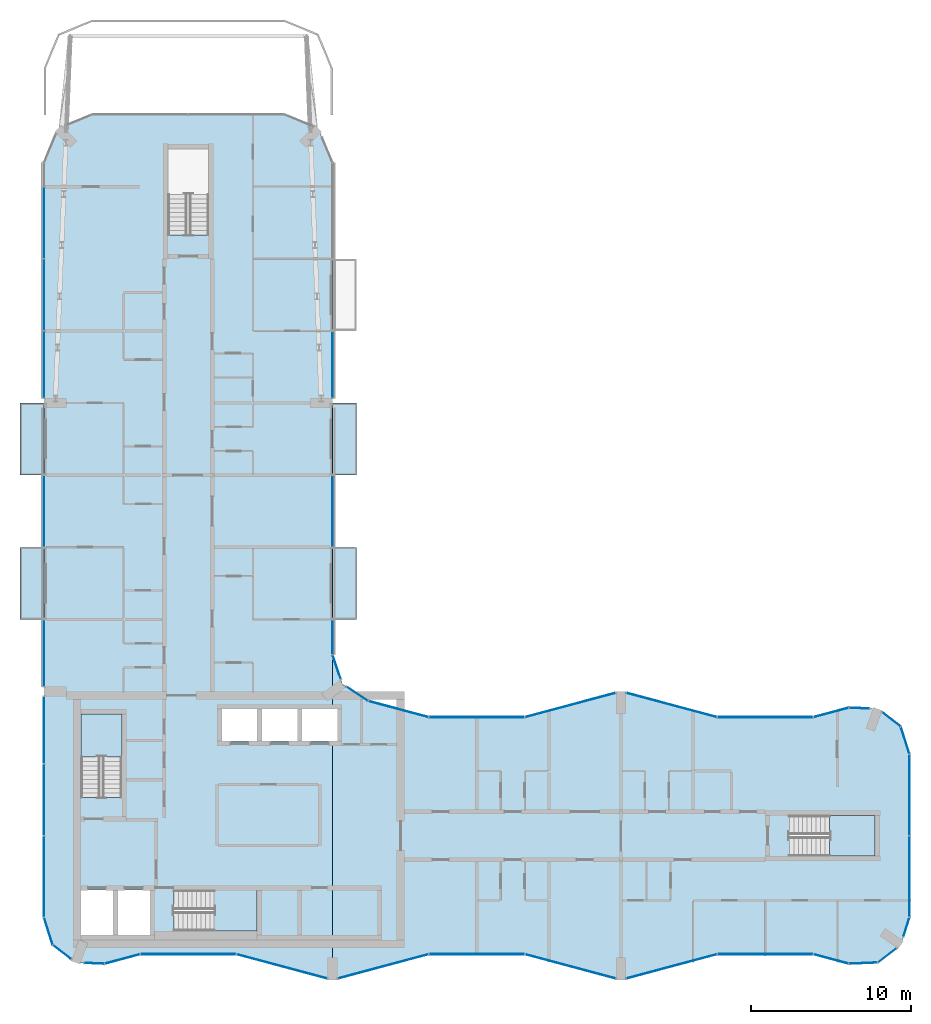
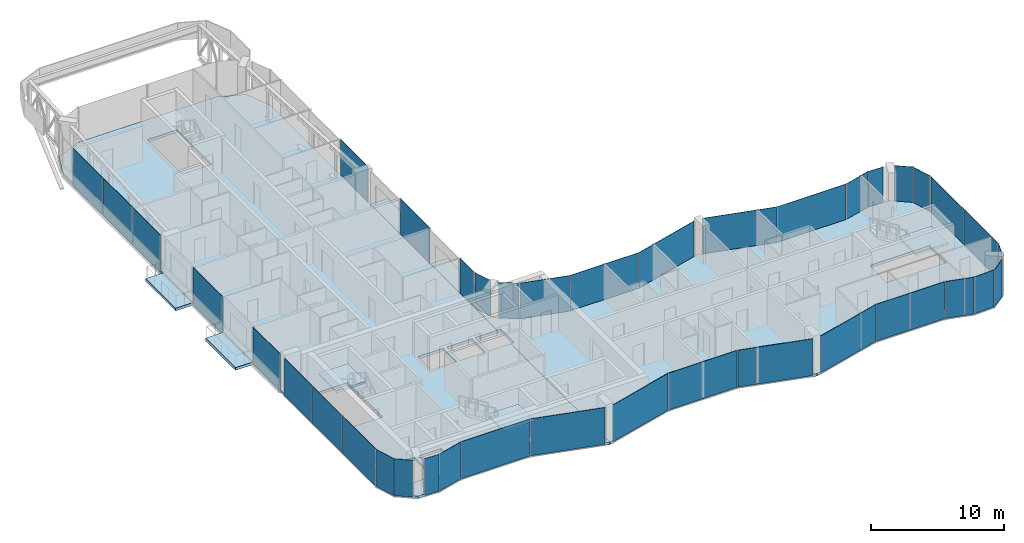
# One storey, part 8 of 17: 39 plates, 9 slabs, 37 elements without a shape of their own.
"""IFC4 building model written with IfcOpenShell, lengths in metres."""

from ifc_helpers import new_model, si_unit, direction, frame, origin, origin_2d, place, context, subcontext, project, spatial, polyline, rectangle, outline, extrude, material, layer, layer_set, type_object, element, aggregate, save


model = new_model("IFC4")

# Units and contexts
model_context = context("Model", 3, precision=1e-05, world=origin(), true_north=direction((0.0, 1.0)))
body_context = subcontext(model_context, "Body", "Model", "MODEL_VIEW")
ifc_project = project(units=[si_unit("LENGTHUNIT", "METRE"), si_unit("AREAUNIT", "SQUARE_METRE"), si_unit("VOLUMEUNIT", "CUBIC_METRE"), si_unit("PLANEANGLEUNIT", "RADIAN"), si_unit("MASSUNIT", "GRAM", prefix="KILO")], contexts=[model_context])

# Site, building, storey
site_placement = place(None, origin())
site = spatial("IfcSite", under=ifc_project, at=site_placement, CompositionType="ELEMENT")
building_placement = place(site_placement, origin())
building = spatial("IfcBuilding", under=site, at=building_placement, Name="Plateau Cross Towers", CompositionType="ELEMENT")
storey_placement = place(building_placement, frame((0.0, 0.0, 222.39990234375)))
storey = spatial("IfcBuildingStorey", under=building, at=storey_placement, Name="L58", CompositionType="ELEMENT", Elevation=222.39990234375)

# Slabs
ifc_material_1 = material(Name="Concrete C40/50", Category="concrete")
ifc_layer_1 = layer(ifc_material_1, 0.25)
ifc_layer_set_1 = layer_set([ifc_layer_1], Name="Concrete C40/50")
slab_type_1 = type_object("IfcSlabType", Name="Balcony slab 250", PredefinedType="FLOOR", material=ifc_layer_set_1)
slab_1_placement = place(storey_placement, frame((0.0, 0.0, -0.25)))
element("IfcSlab", 1, at=slab_1_placement, inside=storey, type_object=slab_type_1, Name="Balcony slab A-BAL-L58-01", PredefinedType="FLOOR", context=body_context, shape_type="SweptSolid", body=[
    extrude(outline(polyline([(0.0, 22.5), (0.0, 27.0), (-1.5, 27.0), (-1.5, 22.5), (0.0, 22.5)])), origin(), (0.0, 0.0, 1.0), 0.25),
])
slab_2_placement = place(storey_placement, frame((0.0, 0.0, -0.25)))
element("IfcSlab", 2, at=slab_2_placement, inside=storey, type_object=slab_type_1, Name="Balcony slab A-BAL-L58-02", PredefinedType="FLOOR", context=body_context, shape_type="SweptSolid", body=[
    extrude(outline(polyline([(0.0, 31.5), (0.0, 36.0), (-1.5, 36.0), (-1.5, 31.5), (0.0, 31.5)])), origin(), (0.0, 0.0, 1.0), 0.25),
])
slab_3_placement = place(storey_placement, frame((0.0, 0.0, -0.25)))
element("IfcSlab", 3, at=slab_3_placement, inside=storey, type_object=slab_type_1, Name="Balcony slab A-BAL-L58-03", PredefinedType="FLOOR", context=body_context, shape_type="SweptSolid", body=[
    extrude(outline(polyline([(19.5, 22.5), (19.5, 27.0), (18.0, 27.0), (18.0, 22.5), (19.5, 22.5)])), origin(), (0.0, 0.0, 1.0), 0.25),
])
slab_4_placement = place(storey_placement, frame((0.0, 0.0, -0.25)))
element("IfcSlab", 4, at=slab_4_placement, inside=storey, type_object=slab_type_1, Name="Balcony slab A-BAL-L58-04", PredefinedType="FLOOR", context=body_context, shape_type="SweptSolid", body=[
    extrude(outline(polyline([(19.5, 31.5), (19.5, 36.0), (18.0, 36.0), (18.0, 31.5), (19.5, 31.5)])), origin(), (0.0, 0.0, 1.0), 0.25),
])

# Curtain wall, plate
ifc_material_2 = material(Name="Dark low-iron glass", Category="glass")
ifc_layer_2 = layer(ifc_material_2, 0.239990234375)
ifc_layer_set_2 = layer_set([ifc_layer_2], Name="Dark low-iron glass")
curtain_wall_type_1 = type_object("IfcCurtainWallType", Name="Curtain wall flush unitised CW-B", PredefinedType="NOTDEFINED", material=ifc_layer_set_2)
curtain_wall_1_placement = place(storey_placement, origin())
curtain_wall_1 = element("IfcCurtainWall", 5, at=curtain_wall_1_placement, inside=storey, type_object=curtain_wall_type_1, Name="ENV/A/L58/A502_10", PredefinedType="NOTDEFINED")
ifc_layer_3 = layer(ifc_material_2, 0.031982421875)
ifc_layer_set_3 = layer_set([ifc_layer_3], Name="Dark low-iron glass")
plate_type_1 = type_object("IfcPlateType", Name="Glass panel 32 flush unitised", PredefinedType="CURTAIN_PANEL", material=ifc_layer_set_3)
plate_1_placement = place(storey_placement, frame((51.125, 1.05078125, -0.1298828125), z_axis=(0.0, 0.0, 1.0), x_axis=(0.999043701491, 0.043722791671, 0.0)))
plate_1 = element("IfcPlate", 6, at=plate_1_placement, type_object=plate_type_1, Name="CW-B panel 1", PredefinedType="CURTAIN_PANEL", context=body_context, shape_type="SweptSolid", body=[
    extrude(rectangle(XDim=1.744140625, YDim=0.031982421875, at=origin_2d()), origin(), (0.0, 0.0, 1.0), 3.3798828125),
])
aggregate(curtain_wall_1, [plate_1])

curtain_wall_2_placement = place(storey_placement, origin())
curtain_wall_2 = element("IfcCurtainWall", 7, at=curtain_wall_2_placement, inside=storey, type_object=curtain_wall_type_1, Name="ENV/A/L58/A520_11", PredefinedType="NOTDEFINED")
plate_2_placement = place(storey_placement, frame((52.60986328125, 1.5380859375, -0.1298828125), z_axis=(0.0, 0.0, 1.0), x_axis=(0.793315514529, 0.608810721331, 0.0)))
plate_2 = element("IfcPlate", 8, at=plate_2_placement, type_object=plate_type_1, Name="CW-B panel 1", PredefinedType="CURTAIN_PANEL", context=body_context, shape_type="SweptSolid", body=[
    extrude(rectangle(XDim=1.41162109375, YDim=0.031982421875, at=origin_2d()), origin(), (0.0, 0.0, 1.0), 3.3798828125),
])
aggregate(curtain_wall_2, [plate_2])

curtain_wall_3_placement = place(storey_placement, origin())
curtain_wall_3 = element("IfcCurtainWall", 9, at=curtain_wall_3_placement, inside=storey, type_object=curtain_wall_type_1, Name="ENV/A/L58/A536_27", PredefinedType="NOTDEFINED")
plate_3_placement = place(storey_placement, frame((53.805419921875, 3.292236328125, -0.1298828125), z_axis=(0.0, 0.0, 1.0), x_axis=(0.300686174994, 0.95372313811, 0.0)))
plate_3 = element("IfcPlate", 10, at=plate_3_placement, type_object=plate_type_1, Name="CW-B panel 1", PredefinedType="CURTAIN_PANEL", context=body_context, shape_type="SweptSolid", body=[
    extrude(rectangle(XDim=1.233642578125, YDim=0.031982421875, at=origin_2d()), origin(), (0.0, 0.0, 1.0), 3.3798828125),
])
aggregate(curtain_wall_3, [plate_3])

# Curtain wall, plates
curtain_wall_4_placement = place(storey_placement, origin())
curtain_wall_4 = element("IfcCurtainWall", 11, at=curtain_wall_4_placement, inside=storey, type_object=curtain_wall_type_1, Name="ENV/A/L58/A540_39", PredefinedType="NOTDEFINED")
plate_4_placement = place(storey_placement, frame((54.0, 6.45458984375, -0.1298828125), z_axis=(0.0, 0.0, 1.0), x_axis=(0.0, 1.0, 0.0)))
plate_4 = element("IfcPlate", 12, at=plate_4_placement, type_object=plate_type_1, Name="CW-B panel 1", PredefinedType="CURTAIN_PANEL", context=body_context, shape_type="SweptSolid", body=[
    extrude(rectangle(XDim=5.03076171875, YDim=0.031982421875, at=origin_2d()), origin(), (0.0, 0.0, 1.0), 3.3798828125),
])
plate_5_placement = place(storey_placement, frame((54.0, 11.54541015625, -0.1298828125), z_axis=(0.0, 0.0, 1.0), x_axis=(0.0, 1.0, 0.0)))
plate_5 = element("IfcPlate", 13, at=plate_5_placement, type_object=plate_type_1, Name="CW-B panel 2", PredefinedType="CURTAIN_PANEL", context=body_context, shape_type="SweptSolid", body=[
    extrude(rectangle(XDim=5.03076171875, YDim=0.031982421875, at=origin_2d()), origin(), (0.0, 0.0, 1.0), 3.3798828125),
])
aggregate(curtain_wall_4, [plate_4, plate_5])

# Curtain wall, plate
curtain_wall_5_placement = place(storey_placement, origin())
curtain_wall_5 = element("IfcCurtainWall", 14, at=curtain_wall_5_placement, inside=storey, type_object=curtain_wall_type_1, Name="ENV/A/L58/A540_141", PredefinedType="NOTDEFINED")
plate_6_placement = place(storey_placement, frame((53.728759765625, 14.951171875, -0.1298828125), z_axis=(0.0, 0.0, 1.0), x_axis=(-0.300686174994, 0.95372313811, 0.0)))
plate_6 = element("IfcPlate", 15, at=plate_6_placement, type_object=plate_type_1, Name="CW-B panel 1", PredefinedType="CURTAIN_PANEL", context=body_context, shape_type="SweptSolid", body=[
    extrude(rectangle(XDim=1.744140625, YDim=0.031982421875, at=origin_2d()), origin(), (0.0, 0.0, 1.0), 3.3798828125),
])
aggregate(curtain_wall_5, [plate_6])

curtain_wall_6_placement = place(storey_placement, origin())
curtain_wall_6 = element("IfcCurtainWall", 16, at=curtain_wall_6_placement, inside=storey, type_object=curtain_wall_type_1, Name="ENV/A/L58/A535_158", PredefinedType="NOTDEFINED")
plate_7_placement = place(storey_placement, frame((52.873779296875, 16.25927734375, -0.1298828125), z_axis=(0.0, 0.0, 1.0), x_axis=(-0.793315514529, 0.608810721331, 0.0)))
plate_7 = element("IfcPlate", 17, at=plate_7_placement, type_object=plate_type_1, Name="CW-B panel 1", PredefinedType="CURTAIN_PANEL", context=body_context, shape_type="SweptSolid", body=[
    extrude(rectangle(XDim=1.41162109375, YDim=0.031982421875, at=origin_2d()), origin(), (0.0, 0.0, 1.0), 3.3798828125),
])
aggregate(curtain_wall_6, [plate_7])

curtain_wall_7_placement = place(storey_placement, origin())
curtain_wall_7 = element("IfcCurtainWall", 18, at=curtain_wall_7_placement, inside=storey, type_object=curtain_wall_type_1, Name="ENV/A/L58/A515_169", PredefinedType="NOTDEFINED")
plate_8_placement = place(storey_placement, frame((50.8701171875, 16.96044921875, -0.1298828125), z_axis=(0.0, 0.0, 1.0), x_axis=(-0.999043701491, 0.043722791671, 0.0)))
plate_8 = element("IfcPlate", 19, at=plate_8_placement, type_object=plate_type_1, Name="CW-B panel 1", PredefinedType="CURTAIN_PANEL", context=body_context, shape_type="SweptSolid", body=[
    extrude(rectangle(XDim=1.233642578125, YDim=0.031982421875, at=origin_2d()), origin(), (0.0, 0.0, 1.0), 3.3798828125),
])
aggregate(curtain_wall_7, [plate_8])

curtain_wall_8_placement = place(storey_placement, origin())
curtain_wall_8 = element("IfcCurtainWall", 20, at=curtain_wall_8_placement, inside=storey, type_object=curtain_wall_type_1, Name="ENV/A/L58/A202_174", PredefinedType="NOTDEFINED")
plate_9_placement = place(storey_placement, frame((19.546630859375, 17.856689453125, -0.1298828125), z_axis=(0.0, 0.0, 1.0), x_axis=(-0.831521253329, 0.555492938984, 0.0)))
plate_9 = element("IfcPlate", 21, at=plate_9_placement, type_object=plate_type_1, Name="CW-B panel 1", PredefinedType="CURTAIN_PANEL", context=body_context, shape_type="SweptSolid", body=[
    extrude(rectangle(XDim=1.56884765625, YDim=0.031982421875, at=origin_2d()), origin(), (0.0, 0.0, 1.0), 3.3798828125),
])
aggregate(curtain_wall_8, [plate_9])

curtain_wall_9_placement = place(storey_placement, origin())
curtain_wall_9 = element("IfcCurtainWall", 22, at=curtain_wall_9_placement, inside=storey, type_object=curtain_wall_type_1, Name="ENV/A/L58/A185_188", PredefinedType="NOTDEFINED")
plate_10_placement = place(storey_placement, frame((18.26171875, 19.531005859375, -0.1298828125), z_axis=(0.0, 0.0, 1.0), x_axis=(-0.321469161574, 0.94692004845, 0.0)))
plate_10 = element("IfcPlate", 23, at=plate_10_placement, type_object=plate_type_1, Name="CW-B panel 1", PredefinedType="CURTAIN_PANEL", context=body_context, shape_type="SweptSolid", body=[
    extrude(rectangle(XDim=1.56884765625, YDim=0.031982421875, at=origin_2d()), origin(), (0.0, 0.0, 1.0), 3.3798828125),
])
aggregate(curtain_wall_9, [plate_10])

curtain_wall_10_placement = place(storey_placement, origin())
curtain_wall_10 = element("IfcCurtainWall", 24, at=curtain_wall_10_placement, inside=storey, type_object=curtain_wall_type_1, Name="ENV/A/L58/A180_203", PredefinedType="NOTDEFINED")
plate_11_placement = place(storey_placement, frame((18.0, 21.396240234375, -0.1298828125), z_axis=(0.0, 0.0, 1.0), x_axis=(0.0, 1.0, 0.0)))
plate_11 = element("IfcPlate", 25, at=plate_11_placement, type_object=plate_type_1, Name="CW-B panel 1", PredefinedType="CURTAIN_PANEL", context=body_context, shape_type="SweptSolid", body=[
    extrude(rectangle(XDim=2.127685546875, YDim=0.031982421875, at=origin_2d()), origin(), (0.0, 0.0, 1.0), 3.3798828125),
])
aggregate(curtain_wall_10, [plate_11])

curtain_wall_11_placement = place(storey_placement, origin())
curtain_wall_11 = element("IfcCurtainWall", 26, at=curtain_wall_11_placement, inside=storey, type_object=curtain_wall_type_1, Name="ENV/A/L58/A180_270", PredefinedType="NOTDEFINED")
plate_12_placement = place(storey_placement, frame((18.0, 29.25, -0.1298828125), z_axis=(0.0, 0.0, 1.0), x_axis=(0.0, 1.0, 0.0)))
plate_12 = element("IfcPlate", 27, at=plate_12_placement, type_object=plate_type_1, Name="CW-B panel 1", PredefinedType="CURTAIN_PANEL", context=body_context, shape_type="SweptSolid", body=[
    extrude(rectangle(XDim=4.419921875, YDim=0.031982421875, at=origin_2d()), origin(), (0.0, 0.0, 1.0), 3.3798828125),
])
aggregate(curtain_wall_11, [plate_12])

curtain_wall_12_placement = place(storey_placement, origin())
curtain_wall_12 = element("IfcCurtainWall", 28, at=curtain_wall_12_placement, inside=storey, type_object=curtain_wall_type_1, Name="ENV/A/L58/A180_363", PredefinedType="NOTDEFINED")
plate_13_placement = place(storey_placement, frame((18.0, 38.39501953125, -0.1298828125), z_axis=(0.0, 0.0, 1.0), x_axis=(0.0, 1.0, 0.0)))
plate_13 = element("IfcPlate", 29, at=plate_13_placement, type_object=plate_type_1, Name="CW-B panel 1", PredefinedType="CURTAIN_PANEL", context=body_context, shape_type="SweptSolid", body=[
    extrude(rectangle(XDim=4.1298828125, YDim=0.031982421875, at=origin_2d()), origin(), (0.0, 0.0, 1.0), 3.3798828125),
])
aggregate(curtain_wall_12, [plate_13])

# Curtain wall, plates
curtain_wall_13_placement = place(storey_placement, origin())
curtain_wall_13 = element("IfcCurtainWall", 30, at=curtain_wall_13_placement, inside=storey, type_object=curtain_wall_type_1, Name="ENV/A/L58/A0_510", PredefinedType="NOTDEFINED")
plate_14_placement = place(storey_placement, frame((0.0, 47.25, -0.1298828125), z_axis=(0.0, 0.0, 1.0), x_axis=(0.0, -1.0, 0.0)))
plate_14 = element("IfcPlate", 31, at=plate_14_placement, type_object=plate_type_1, Name="CW-B panel 2", PredefinedType="CURTAIN_PANEL", context=body_context, shape_type="SweptSolid", body=[
    extrude(rectangle(XDim=4.43994140625, YDim=0.031982421875, at=origin_2d()), origin(), (0.0, 0.0, 1.0), 3.3798828125),
])
plate_15_placement = place(storey_placement, frame((0.0, 42.75, -0.1298828125), z_axis=(0.0, 0.0, 1.0), x_axis=(0.0, -1.0, 0.0)))
plate_15 = element("IfcPlate", 32, at=plate_15_placement, type_object=plate_type_1, Name="CW-B panel 3", PredefinedType="CURTAIN_PANEL", context=body_context, shape_type="SweptSolid", body=[
    extrude(rectangle(XDim=4.43994140625, YDim=0.031982421875, at=origin_2d()), origin(), (0.0, 0.0, 1.0), 3.3798828125),
])
plate_16_placement = place(storey_placement, frame((0.0, 38.39990234375, -0.1298828125), z_axis=(0.0, 0.0, 1.0), x_axis=(0.0, -1.0, 0.0)))
plate_16 = element("IfcPlate", 33, at=plate_16_placement, type_object=plate_type_1, Name="CW-B panel 4", PredefinedType="CURTAIN_PANEL", context=body_context, shape_type="SweptSolid", body=[
    extrude(rectangle(XDim=4.139892578125, YDim=0.031982421875, at=origin_2d()), origin(), (0.0, 0.0, 1.0), 3.3798828125),
])
aggregate(curtain_wall_13, [plate_14, plate_15, plate_16])

# Curtain wall, plate
curtain_wall_14_placement = place(storey_placement, origin())
curtain_wall_14 = element("IfcCurtainWall", 34, at=curtain_wall_14_placement, inside=storey, type_object=curtain_wall_type_1, Name="ENV/A/L58/A0_315", PredefinedType="NOTDEFINED")
plate_17_placement = place(storey_placement, frame((0.0, 29.25, -0.1298828125), z_axis=(0.0, 0.0, 1.0), x_axis=(0.0, -1.0, 0.0)))
plate_17 = element("IfcPlate", 35, at=plate_17_placement, type_object=plate_type_1, Name="CW-B panel 1", PredefinedType="CURTAIN_PANEL", context=body_context, shape_type="SweptSolid", body=[
    extrude(rectangle(XDim=4.419921875, YDim=0.031982421875, at=origin_2d()), origin(), (0.0, 0.0, 1.0), 3.3798828125),
])
aggregate(curtain_wall_14, [plate_17])

curtain_wall_15_placement = place(storey_placement, origin())
curtain_wall_15 = element("IfcCurtainWall", 36, at=curtain_wall_15_placement, inside=storey, type_object=curtain_wall_type_1, Name="ENV/A/L58/A0_225", PredefinedType="NOTDEFINED")
plate_18_placement = place(storey_placement, frame((0.0, 20.39501953125, -0.1298828125), z_axis=(0.0, 0.0, 1.0), x_axis=(0.0, -1.0, 0.0)))
plate_18 = element("IfcPlate", 37, at=plate_18_placement, type_object=plate_type_1, Name="CW-B panel 1", PredefinedType="CURTAIN_PANEL", context=body_context, shape_type="SweptSolid", body=[
    extrude(rectangle(XDim=4.1298828125, YDim=0.031982421875, at=origin_2d()), origin(), (0.0, 0.0, 1.0), 3.3798828125),
])
aggregate(curtain_wall_15, [plate_18])

# Curtain wall, plates
curtain_wall_16_placement = place(storey_placement, origin())
curtain_wall_16 = element("IfcCurtainWall", 38, at=curtain_wall_16_placement, inside=storey, type_object=curtain_wall_type_1, Name="ENV/A/L58/A0_177", PredefinedType="NOTDEFINED")
plate_19_placement = place(storey_placement, frame((0.0, 15.60009765625, -0.1298828125), z_axis=(0.0, 0.0, 1.0), x_axis=(0.0, -1.0, 0.0)))
plate_19 = element("IfcPlate", 39, at=plate_19_placement, type_object=plate_type_1, Name="CW-B panel 1", PredefinedType="CURTAIN_PANEL", context=body_context, shape_type="SweptSolid", body=[
    extrude(rectangle(XDim=4.139892578125, YDim=0.031982421875, at=origin_2d()), origin(), (0.0, 0.0, 1.0), 3.3798828125),
])
plate_20_placement = place(storey_placement, frame((0.0, 11.25, -0.1298828125), z_axis=(0.0, 0.0, 1.0), x_axis=(0.0, -1.0, 0.0)))
plate_20 = element("IfcPlate", 40, at=plate_20_placement, type_object=plate_type_1, Name="CW-B panel 2", PredefinedType="CURTAIN_PANEL", context=body_context, shape_type="SweptSolid", body=[
    extrude(rectangle(XDim=4.43994140625, YDim=0.031982421875, at=origin_2d()), origin(), (0.0, 0.0, 1.0), 3.3798828125),
])
plate_21_placement = place(storey_placement, frame((0.0, 6.45458984375, -0.1298828125), z_axis=(0.0, 0.0, 1.0), x_axis=(0.0, -1.0, 0.0)))
plate_21 = element("IfcPlate", 41, at=plate_21_placement, type_object=plate_type_1, Name="CW-B panel 3", PredefinedType="CURTAIN_PANEL", context=body_context, shape_type="SweptSolid", body=[
    extrude(rectangle(XDim=5.03076171875, YDim=0.031982421875, at=origin_2d()), origin(), (0.0, 0.0, 1.0), 3.3798828125),
])
aggregate(curtain_wall_16, [plate_19, plate_20, plate_21])

# Curtain wall, plate
curtain_wall_17_placement = place(storey_placement, origin())
curtain_wall_17 = element("IfcCurtainWall", 42, at=curtain_wall_17_placement, inside=storey, type_object=curtain_wall_type_1, Name="ENV/A/L58/A0_39", PredefinedType="NOTDEFINED")
plate_22_placement = place(storey_placement, frame((0.271240234375, 3.048828125, -0.1298828125), z_axis=(0.0, 0.0, 1.0), x_axis=(0.300686174994, -0.95372313811, 0.0)))
plate_22 = element("IfcPlate", 43, at=plate_22_placement, type_object=plate_type_1, Name="CW-B panel 1", PredefinedType="CURTAIN_PANEL", context=body_context, shape_type="SweptSolid", body=[
    extrude(rectangle(XDim=1.744140625, YDim=0.031982421875, at=origin_2d()), origin(), (0.0, 0.0, 1.0), 3.3798828125),
])
aggregate(curtain_wall_17, [plate_22])

curtain_wall_18_placement = place(storey_placement, origin())
curtain_wall_18 = element("IfcCurtainWall", 44, at=curtain_wall_18_placement, inside=storey, type_object=curtain_wall_type_1, Name="ENV/A/L58/A5_22", PredefinedType="NOTDEFINED")
plate_23_placement = place(storey_placement, frame((1.126220703125, 1.74072265625, -0.1298828125), z_axis=(0.0, 0.0, 1.0), x_axis=(0.793315514529, -0.608810721331, 0.0)))
plate_23 = element("IfcPlate", 45, at=plate_23_placement, type_object=plate_type_1, Name="CW-B panel 1", PredefinedType="CURTAIN_PANEL", context=body_context, shape_type="SweptSolid", body=[
    extrude(rectangle(XDim=1.41162109375, YDim=0.031982421875, at=origin_2d()), origin(), (0.0, 0.0, 1.0), 3.3798828125),
])
aggregate(curtain_wall_18, [plate_23])

curtain_wall_19_placement = place(storey_placement, origin())
curtain_wall_19 = element("IfcCurtainWall", 46, at=curtain_wall_19_placement, inside=storey, type_object=curtain_wall_type_1, Name="ENV/A/L58/A25_11", PredefinedType="NOTDEFINED")
plate_24_placement = place(storey_placement, frame((3.1298828125, 1.03955078125, -0.1298828125), z_axis=(0.0, 0.0, 1.0), x_axis=(0.999043701491, -0.043722791671, 0.0)))
plate_24 = element("IfcPlate", 47, at=plate_24_placement, type_object=plate_type_1, Name="CW-B panel 1", PredefinedType="CURTAIN_PANEL", context=body_context, shape_type="SweptSolid", body=[
    extrude(rectangle(XDim=1.233642578125, YDim=0.031982421875, at=origin_2d()), origin(), (0.0, 0.0, 1.0), 3.3798828125),
])
aggregate(curtain_wall_19, [plate_24])

ifc_layer_4 = layer(ifc_material_2, 0.260009765625)
ifc_layer_set_4 = layer_set([ifc_layer_4], Name="Dark low-iron glass")
curtain_wall_type_2 = type_object("IfcCurtainWallType", Name="Curtain wall fluted unitised CW-A", PredefinedType="NOTDEFINED", material=ifc_layer_set_4)
curtain_wall_20_placement = place(storey_placement, origin())
curtain_wall_20 = element("IfcCurtainWall", 48, at=curtain_wall_20_placement, inside=storey, type_object=curtain_wall_type_2, Name="ENV/A/L58/A38_10", PredefinedType="NOTDEFINED")
ifc_layer_5 = layer(ifc_material_2, 0.035888671875)
ifc_layer_set_5 = layer_set([ifc_layer_5], Name="Dark low-iron glass")
plate_type_2 = type_object("IfcPlateType", Name="Glass panel 36 fluted unitised", PredefinedType="CURTAIN_PANEL", material=ifc_layer_set_5)
plate_25_placement = place(storey_placement, frame((4.887939453125, 1.30908203125, -0.1298828125), z_axis=(0.0, 0.0, 1.0), x_axis=(0.965957962328, 0.258699081978, 0.0)))
plate_25 = element("IfcPlate", 49, at=plate_25_placement, type_object=plate_type_2, Name="CW-A panel 1", PredefinedType="CURTAIN_PANEL", context=body_context, shape_type="SweptSolid", body=[
    extrude(rectangle(XDim=2.2421875, YDim=0.035888671875, at=origin_2d()), origin(), (0.0, 0.0, 1.0), 3.3798828125),
])
aggregate(curtain_wall_20, [plate_25])

curtain_wall_21_placement = place(storey_placement, origin())
curtain_wall_21 = element("IfcCurtainWall", 50, at=curtain_wall_21_placement, inside=storey, type_object=curtain_wall_type_2, Name="ENV/A/L58/A60_16", PredefinedType="NOTDEFINED")
plate_26_placement = place(storey_placement, frame((9.0, 1.60693359375, -0.1298828125), z_axis=(0.0, 0.0, 1.0), x_axis=(1.0, 0.0, 0.0)))
plate_26 = element("IfcPlate", 51, at=plate_26_placement, type_object=plate_type_2, Name="CW-A panel 1", PredefinedType="CURTAIN_PANEL", context=body_context, shape_type="SweptSolid", body=[
    extrude(rectangle(XDim=5.93994140625, YDim=0.035888671875, at=origin_2d()), origin(), (0.0, 0.0, 1.0), 3.3798828125),
])
aggregate(curtain_wall_21, [plate_26])

curtain_wall_22_placement = place(storey_placement, origin())
curtain_wall_22 = element("IfcCurtainWall", 52, at=curtain_wall_22_placement, inside=storey, type_object=curtain_wall_type_2, Name="ENV/A/L58/A120_16", PredefinedType="NOTDEFINED")
plate_27_placement = place(storey_placement, frame((14.841064453125, 0.845947265625, -0.1298828125), z_axis=(0.0, 0.0, 1.0), x_axis=(0.965957983404, -0.258699003279, 0.0)))
plate_27 = element("IfcPlate", 53, at=plate_27_placement, type_object=plate_type_2, Name="CW-A panel 1", PredefinedType="CURTAIN_PANEL", context=body_context, shape_type="SweptSolid", body=[
    extrude(rectangle(XDim=5.822265625, YDim=0.035888671875, at=origin_2d()), origin(), (0.0, 0.0, 1.0), 3.3798828125),
])
aggregate(curtain_wall_22, [plate_27])

curtain_wall_23_placement = place(storey_placement, origin())
curtain_wall_23 = element("IfcCurtainWall", 54, at=curtain_wall_23_placement, inside=storey, type_object=curtain_wall_type_2, Name="ENV/A/L58/A183_1", PredefinedType="NOTDEFINED")
plate_28_placement = place(storey_placement, frame((21.158935546875, 0.845947265625, -0.1298828125), z_axis=(0.0, 0.0, 1.0), x_axis=(0.965957983404, 0.258699003279, 0.0)))
plate_28 = element("IfcPlate", 55, at=plate_28_placement, type_object=plate_type_2, Name="CW-A panel 1", PredefinedType="CURTAIN_PANEL", context=body_context, shape_type="SweptSolid", body=[
    extrude(rectangle(XDim=5.822265625, YDim=0.035888671875, at=origin_2d()), origin(), (0.0, 0.0, 1.0), 3.3798828125),
])
aggregate(curtain_wall_23, [plate_28])

curtain_wall_24_placement = place(storey_placement, origin())
curtain_wall_24 = element("IfcCurtainWall", 56, at=curtain_wall_24_placement, inside=storey, type_object=curtain_wall_type_2, Name="ENV/A/L58/A240_16", PredefinedType="NOTDEFINED")
plate_29_placement = place(storey_placement, frame((27.0, 1.60693359375, -0.1298828125), z_axis=(0.0, 0.0, 1.0), x_axis=(1.0, 0.0, 0.0)))
plate_29 = element("IfcPlate", 57, at=plate_29_placement, type_object=plate_type_2, Name="CW-A panel 1", PredefinedType="CURTAIN_PANEL", context=body_context, shape_type="SweptSolid", body=[
    extrude(rectangle(XDim=5.93994140625, YDim=0.035888671875, at=origin_2d()), origin(), (0.0, 0.0, 1.0), 3.3798828125),
])
aggregate(curtain_wall_24, [plate_29])

curtain_wall_25_placement = place(storey_placement, origin())
curtain_wall_25 = element("IfcCurtainWall", 58, at=curtain_wall_25_placement, inside=storey, type_object=curtain_wall_type_2, Name="ENV/A/L58/A300_16", PredefinedType="NOTDEFINED")
plate_30_placement = place(storey_placement, frame((32.841064453125, 0.845947265625, -0.1298828125), z_axis=(0.0, 0.0, 1.0), x_axis=(0.965957983404, -0.258699003279, 0.0)))
plate_30 = element("IfcPlate", 59, at=plate_30_placement, type_object=plate_type_2, Name="CW-A panel 1", PredefinedType="CURTAIN_PANEL", context=body_context, shape_type="SweptSolid", body=[
    extrude(rectangle(XDim=5.822265625, YDim=0.035888671875, at=origin_2d()), origin(), (0.0, 0.0, 1.0), 3.3798828125),
])
aggregate(curtain_wall_25, [plate_30])

curtain_wall_26_placement = place(storey_placement, origin())
curtain_wall_26 = element("IfcCurtainWall", 60, at=curtain_wall_26_placement, inside=storey, type_object=curtain_wall_type_2, Name="ENV/A/L58/A363_1", PredefinedType="NOTDEFINED")
plate_31_placement = place(storey_placement, frame((39.158935546875, 0.845947265625, -0.1298828125), z_axis=(0.0, 0.0, 1.0), x_axis=(0.965957983404, 0.258699003279, 0.0)))
plate_31 = element("IfcPlate", 61, at=plate_31_placement, type_object=plate_type_2, Name="CW-A panel 1", PredefinedType="CURTAIN_PANEL", context=body_context, shape_type="SweptSolid", body=[
    extrude(rectangle(XDim=5.822265625, YDim=0.035888671875, at=origin_2d()), origin(), (0.0, 0.0, 1.0), 3.3798828125),
])
aggregate(curtain_wall_26, [plate_31])

curtain_wall_27_placement = place(storey_placement, origin())
curtain_wall_27 = element("IfcCurtainWall", 62, at=curtain_wall_27_placement, inside=storey, type_object=curtain_wall_type_2, Name="ENV/A/L58/A420_16", PredefinedType="NOTDEFINED")
plate_32_placement = place(storey_placement, frame((45.0, 1.60693359375, -0.1298828125), z_axis=(0.0, 0.0, 1.0), x_axis=(1.0, 0.0, 0.0)))
plate_32 = element("IfcPlate", 63, at=plate_32_placement, type_object=plate_type_2, Name="CW-A panel 1", PredefinedType="CURTAIN_PANEL", context=body_context, shape_type="SweptSolid", body=[
    extrude(rectangle(XDim=5.93994140625, YDim=0.035888671875, at=origin_2d()), origin(), (0.0, 0.0, 1.0), 3.3798828125),
])
aggregate(curtain_wall_27, [plate_32])

curtain_wall_28_placement = place(storey_placement, origin())
curtain_wall_28 = element("IfcCurtainWall", 64, at=curtain_wall_28_placement, inside=storey, type_object=curtain_wall_type_2, Name="ENV/A/L58/A480_16", PredefinedType="NOTDEFINED")
plate_33_placement = place(storey_placement, frame((49.112060546875, 1.30908203125, -0.1298828125), z_axis=(0.0, 0.0, 1.0), x_axis=(0.965957962328, -0.258699081978, 0.0)))
plate_33 = element("IfcPlate", 65, at=plate_33_placement, type_object=plate_type_2, Name="CW-A panel 1", PredefinedType="CURTAIN_PANEL", context=body_context, shape_type="SweptSolid", body=[
    extrude(rectangle(XDim=2.2421875, YDim=0.035888671875, at=origin_2d()), origin(), (0.0, 0.0, 1.0), 3.3798828125),
])
aggregate(curtain_wall_28, [plate_33])

curtain_wall_29_placement = place(storey_placement, origin())
curtain_wall_29 = element("IfcCurtainWall", 66, at=curtain_wall_29_placement, inside=storey, type_object=curtain_wall_type_2, Name="ENV/A/L58/A502_170", PredefinedType="NOTDEFINED")
plate_34_placement = place(storey_placement, frame((49.112060546875, 16.69091796875, -0.1298828125), z_axis=(0.0, 0.0, 1.0), x_axis=(-0.965957962328, -0.258699081978, 0.0)))
plate_34 = element("IfcPlate", 67, at=plate_34_placement, type_object=plate_type_2, Name="CW-A panel 1", PredefinedType="CURTAIN_PANEL", context=body_context, shape_type="SweptSolid", body=[
    extrude(rectangle(XDim=2.2421875, YDim=0.035888671875, at=origin_2d()), origin(), (0.0, 0.0, 1.0), 3.3798828125),
])
aggregate(curtain_wall_29, [plate_34])

curtain_wall_30_placement = place(storey_placement, origin())
curtain_wall_30 = element("IfcCurtainWall", 68, at=curtain_wall_30_placement, inside=storey, type_object=curtain_wall_type_2, Name="ENV/A/L58/A480_164", PredefinedType="NOTDEFINED")
plate_35_placement = place(storey_placement, frame((45.0, 16.39306640625, -0.1298828125), z_axis=(0.0, 0.0, 1.0), x_axis=(-1.0, 0.0, 0.0)))
plate_35 = element("IfcPlate", 69, at=plate_35_placement, type_object=plate_type_2, Name="CW-A panel 1", PredefinedType="CURTAIN_PANEL", context=body_context, shape_type="SweptSolid", body=[
    extrude(rectangle(XDim=5.93994140625, YDim=0.035888671875, at=origin_2d()), origin(), (0.0, 0.0, 1.0), 3.3798828125),
])
aggregate(curtain_wall_30, [plate_35])

curtain_wall_31_placement = place(storey_placement, origin())
curtain_wall_31 = element("IfcCurtainWall", 70, at=curtain_wall_31_placement, inside=storey, type_object=curtain_wall_type_2, Name="ENV/A/L58/A420_164", PredefinedType="NOTDEFINED")
plate_36_placement = place(storey_placement, frame((39.158935546875, 17.154052734375, -0.1298828125), z_axis=(0.0, 0.0, 1.0), x_axis=(-0.965957983404, 0.258699003279, 0.0)))
plate_36 = element("IfcPlate", 71, at=plate_36_placement, type_object=plate_type_2, Name="CW-A panel 1", PredefinedType="CURTAIN_PANEL", context=body_context, shape_type="SweptSolid", body=[
    extrude(rectangle(XDim=5.822265625, YDim=0.035888671875, at=origin_2d()), origin(), (0.0, 0.0, 1.0), 3.3798828125),
])
aggregate(curtain_wall_31, [plate_36])

curtain_wall_32_placement = place(storey_placement, origin())
curtain_wall_32 = element("IfcCurtainWall", 72, at=curtain_wall_32_placement, inside=storey, type_object=curtain_wall_type_2, Name="ENV/A/L58/A357_179", PredefinedType="NOTDEFINED")
plate_37_placement = place(storey_placement, frame((32.841064453125, 17.154052734375, -0.1298828125), z_axis=(0.0, 0.0, 1.0), x_axis=(-0.965957983404, -0.258699003279, 0.0)))
plate_37 = element("IfcPlate", 73, at=plate_37_placement, type_object=plate_type_2, Name="CW-A panel 1", PredefinedType="CURTAIN_PANEL", context=body_context, shape_type="SweptSolid", body=[
    extrude(rectangle(XDim=5.822265625, YDim=0.035888671875, at=origin_2d()), origin(), (0.0, 0.0, 1.0), 3.3798828125),
])
aggregate(curtain_wall_32, [plate_37])

curtain_wall_33_placement = place(storey_placement, origin())
curtain_wall_33 = element("IfcCurtainWall", 74, at=curtain_wall_33_placement, inside=storey, type_object=curtain_wall_type_2, Name="ENV/A/L58/A300_164", PredefinedType="NOTDEFINED")
plate_38_placement = place(storey_placement, frame((27.0, 16.39306640625, -0.1298828125), z_axis=(0.0, 0.0, 1.0), x_axis=(-1.0, 0.0, 0.0)))
plate_38 = element("IfcPlate", 75, at=plate_38_placement, type_object=plate_type_2, Name="CW-A panel 1", PredefinedType="CURTAIN_PANEL", context=body_context, shape_type="SweptSolid", body=[
    extrude(rectangle(XDim=5.93994140625, YDim=0.035888671875, at=origin_2d()), origin(), (0.0, 0.0, 1.0), 3.3798828125),
])
aggregate(curtain_wall_33, [plate_38])

curtain_wall_34_placement = place(storey_placement, origin())
curtain_wall_34 = element("IfcCurtainWall", 76, at=curtain_wall_34_placement, inside=storey, type_object=curtain_wall_type_2, Name="ENV/A/L58/A240_164", PredefinedType="NOTDEFINED")
plate_39_placement = place(storey_placement, frame((22.112060546875, 16.898681640625, -0.1298828125), z_axis=(0.0, 0.0, 1.0), x_axis=(-0.965957995816, 0.258698956933, 0.0)))
plate_39 = element("IfcPlate", 77, at=plate_39_placement, type_object=plate_type_2, Name="CW-A panel 1", PredefinedType="CURTAIN_PANEL", context=body_context, shape_type="SweptSolid", body=[
    extrude(rectangle(XDim=3.84912109375, YDim=0.035888671875, at=origin_2d()), origin(), (0.0, 0.0, 1.0), 3.3798828125),
])
aggregate(curtain_wall_34, [plate_39])

# Slabs
ifc_layer_6 = layer(ifc_material_1, 0.25)
ifc_layer_set_6 = layer_set([ifc_layer_6], Name="Concrete C40/50")
slab_type_2 = type_object("IfcSlabType", Name="Post-tensioned flat plate slab 250", PredefinedType="FLOOR", material=ifc_layer_set_6)
slab_5_placement = place(storey_placement, frame((0.0, 0.0, -0.25)))
element("IfcSlab", 78, at=slab_5_placement, inside=storey, type_object=slab_type_2, Name="SL-A-L58 1", PredefinedType="FLOOR", context=body_context, shape_type="SweptSolid", body=[
    extrude(outline(polyline([(0.54248046875, 2.1884765625), (0.0, 3.9091796875), (0.0, 51.0), (0.878662109375, 53.121337890625), (3.0, 54.0), (15.0, 54.0), (17.121337890625, 53.121337890625), (18.0, 51.0), (18.0, 20.30224609375), (18.0, 16.89990234375), (16.10009765625, 16.89990234375), (16.10009765625, 14.89990234375), (18.0, 14.89990234375), (18.0, 0.0), (12.0, 1.60693359375), (6.0, 1.60693359375), (3.776123046875, 1.01123046875), (1.9736328125, 1.090087890625), (0.54248046875, 2.1884765625)]), holes=[polyline([(2.300048828125, 5.60009765625), (2.300048828125, 2.800048828125), (4.300048828125, 2.800048828125), (4.300048828125, 5.60009765625), (2.300048828125, 5.60009765625)]), polyline([(4.60009765625, 5.60009765625), (4.60009765625, 2.800048828125), (6.60009765625, 2.800048828125), (6.60009765625, 5.60009765625), (4.60009765625, 5.60009765625)]), polyline([(8.10009765625, 5.60009765625), (8.10009765625, 3.050048828125), (13.300048828125, 3.050048828125), (13.300048828125, 5.60009765625), (8.10009765625, 5.60009765625)]), polyline([(2.300048828125, 11.39990234375), (4.85009765625, 11.39990234375), (4.85009765625, 16.60009765625), (2.300048828125, 16.60009765625), (2.300048828125, 11.39990234375)]), polyline([(11.10009765625, 16.89990234375), (11.10009765625, 14.89990234375), (13.300048828125, 14.89990234375), (13.300048828125, 16.89990234375), (11.10009765625, 16.89990234375)]), polyline([(13.60009765625, 16.89990234375), (13.60009765625, 14.89990234375), (15.800048828125, 14.89990234375), (15.800048828125, 16.89990234375), (13.60009765625, 16.89990234375)]), polyline([(7.72509765625, 51.699951171875), (7.72509765625, 46.5), (10.27490234375, 46.5), (10.27490234375, 51.699951171875), (7.72509765625, 51.699951171875)])]), origin(), (0.0, 0.0, 1.0), 0.25),
])
slab_6_placement = place(storey_placement, frame((0.0, 0.0, -0.25)))
element("IfcSlab", 79, at=slab_6_placement, inside=storey, type_object=slab_type_2, Name="SL-A-L58 2", PredefinedType="FLOOR", context=body_context, shape_type="SweptSolid", body=[
    extrude(outline(polyline([(18.6201171875, 18.475830078125), (20.223876953125, 17.404296875), (24.0, 16.39306640625), (30.0, 16.39306640625), (36.0, 18.0), (42.0, 16.39306640625), (48.0, 16.39306640625), (50.223876953125, 16.98876953125), (52.0263671875, 16.909912109375), (53.45751953125, 15.8115234375), (54.0, 14.0908203125), (54.0, 3.9091796875), (53.45751953125, 2.1884765625), (52.0263671875, 1.090087890625), (50.223876953125, 1.01123046875), (48.0, 1.60693359375), (42.0, 1.60693359375), (36.0, 0.0), (30.0, 1.60693359375), (24.0, 1.60693359375), (18.0, 0.0), (18.0, 14.89990234375), (18.300048828125, 14.89990234375), (18.300048828125, 16.89990234375), (18.0, 16.89990234375), (18.0, 20.30224609375), (18.6201171875, 18.475830078125)]), holes=[polyline([(46.5, 10.27490234375), (46.5, 7.72509765625), (51.699951171875, 7.72509765625), (51.699951171875, 10.27490234375), (46.5, 10.27490234375)])]), origin(), (0.0, 0.0, 1.0), 0.25),
])

# Stair, slab
stair_type = type_object("IfcStairType", Name="ST-TWR", PredefinedType="HALF_TURN_STAIR", material=ifc_material_1)
stair_1_placement = place(storey_placement, origin())
stair_1 = element("IfcStair", 80, at=stair_1_placement, inside=storey, type_object=stair_type, Name="L58 Protected Exit Stair ST-1", PredefinedType="HALF_TURN_STAIR")
ifc_layer_7 = layer(ifc_material_1, 0.199951171875)
ifc_layer_set_7 = layer_set([ifc_layer_7], Name="Concrete C40/50")
slab_type_3 = type_object("IfcSlabType", Name="SL-LANDING", PredefinedType="LANDING", material=ifc_layer_set_7)
slab_7_placement = place(storey_placement, frame((0.0, 0.0, 1.550048828125)))
slab_7 = element("IfcSlab", 81, at=slab_7_placement, type_object=slab_type_3, Name="ST-1 landing 1", PredefinedType="LANDING", context=body_context, shape_type="SweptSolid", body=[
    extrude(outline(polyline([(4.85009765625, 13.919921875), (4.85009765625, 16.60009765625), (2.300048828125, 16.60009765625), (2.300048828125, 13.919921875), (4.85009765625, 13.919921875)])), origin(), (0.0, 0.0, 1.0), 0.199951171875),
])
aggregate(stair_1, [slab_7])

stair_2_placement = place(storey_placement, origin())
stair_2 = element("IfcStair", 82, at=stair_2_placement, inside=storey, type_object=stair_type, Name="L58 Protected Exit Stair ST-2", PredefinedType="HALF_TURN_STAIR")
slab_8_placement = place(storey_placement, frame((0.0, 0.0, 1.550048828125)))
slab_8 = element("IfcSlab", 83, at=slab_8_placement, type_object=slab_type_3, Name="ST-2 landing 1", PredefinedType="LANDING", context=body_context, shape_type="SweptSolid", body=[
    extrude(outline(polyline([(10.6201171875, 3.050048828125), (13.300048828125, 3.050048828125), (13.300048828125, 5.60009765625), (10.6201171875, 5.60009765625), (10.6201171875, 3.050048828125)])), origin(), (0.0, 0.0, 1.0), 0.199951171875),
])
aggregate(stair_2, [slab_8])

stair_3_placement = place(storey_placement, origin())
stair_3 = element("IfcStair", 84, at=stair_3_placement, inside=storey, type_object=stair_type, Name="L58 Protected Exit Stair E", PredefinedType="HALF_TURN_STAIR")
slab_9_placement = place(storey_placement, frame((0.0, 0.0, 1.550048828125)))
slab_9 = element("IfcSlab", 85, at=slab_9_placement, type_object=slab_type_3, Name="ES-E landing 1", PredefinedType="LANDING", context=body_context, shape_type="SweptSolid", body=[
    extrude(outline(polyline([(49.02001953125, 7.72509765625), (51.85009765625, 7.72509765625), (51.85009765625, 10.27490234375), (49.02001953125, 10.27490234375), (49.02001953125, 7.72509765625)])), origin(), (0.0, 0.0, 1.0), 0.199951171875),
])
aggregate(stair_3, [slab_9])

save(model, "model.ifc")
